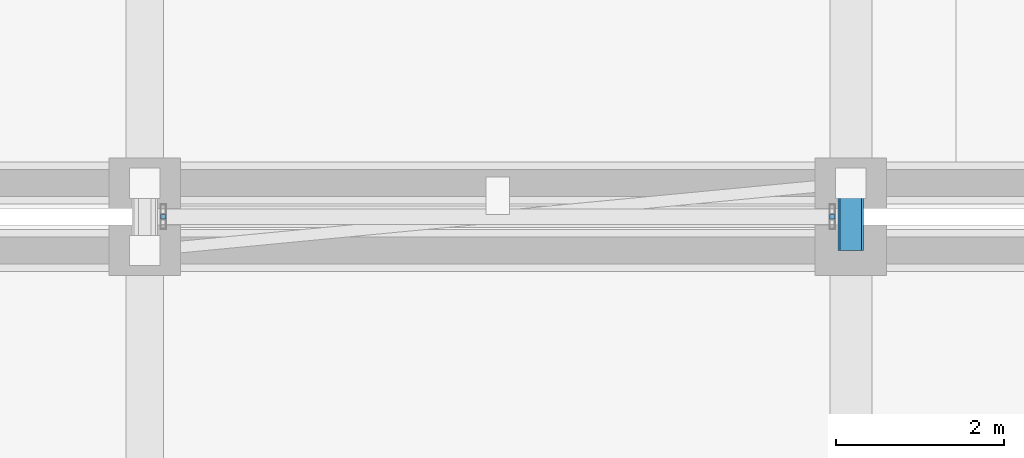
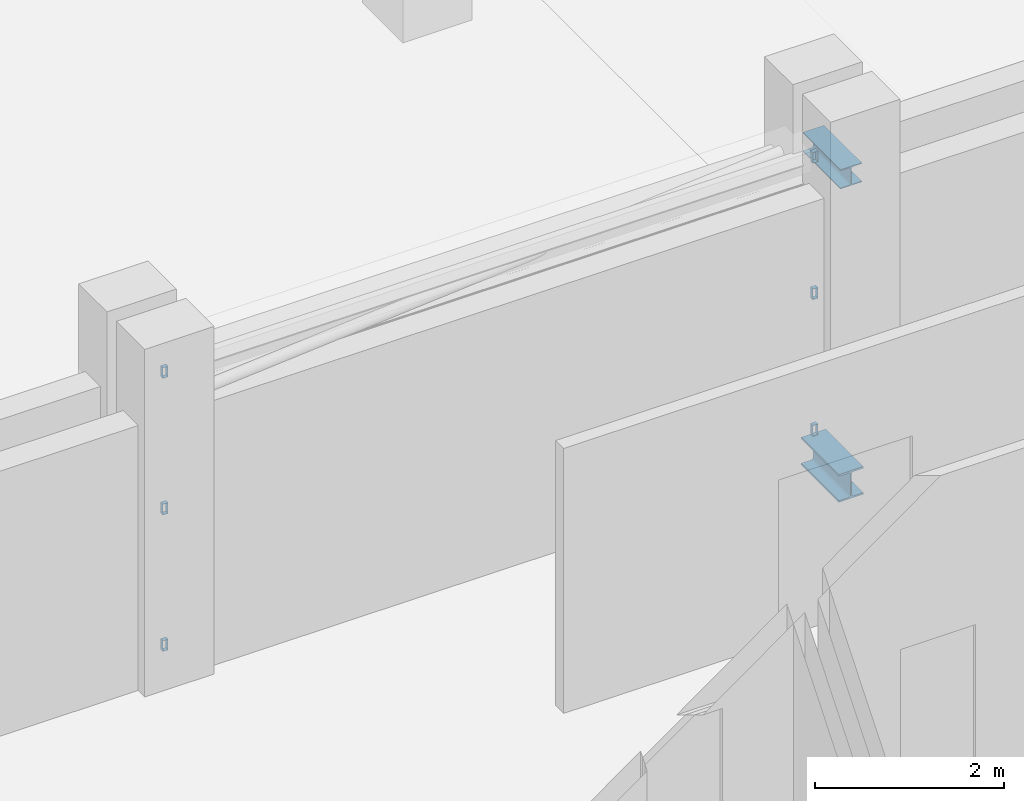
# One storey, part 76 of 137: 6 members, 2 beams, 2 elements without a shape of their own.
"""IFC4 building model written with IfcOpenShell, lengths in metres."""

from ifc_helpers import new_model, si_unit, direction, frame, origin, origin_2d, place, context, subcontext, project, spatial, hollow_rectangle, i_section, extrude, material, layer, layer_set, material_profile, profile_set, type_object, element, aggregate, save


model = new_model("IFC4")

# Units and contexts
model_context = context("Model", 3, precision=1e-05, world=origin(), true_north=direction((0.0, 1.0)))
body_context = subcontext(model_context, "Body", "Model", "MODEL_VIEW")
ifc_project = project(units=[si_unit("LENGTHUNIT", "METRE"), si_unit("AREAUNIT", "SQUARE_METRE"), si_unit("VOLUMEUNIT", "CUBIC_METRE"), si_unit("PLANEANGLEUNIT", "RADIAN"), si_unit("MASSUNIT", "GRAM", prefix="KILO")], contexts=[model_context])

# Site, building, storey
site_placement = place(None, origin())
site = spatial("IfcSite", under=ifc_project, at=site_placement, CompositionType="ELEMENT")
building_placement = place(site_placement, origin())
building = spatial("IfcBuilding", under=site, at=building_placement, Name="Xazarin Passage Department Store", CompositionType="ELEMENT")
storey_placement = place(building_placement, frame((0.0, 0.0, 5.39990234375)))
storey = spatial("IfcBuildingStorey", under=building, at=storey_placement, Name="L01", CompositionType="ELEMENT", Elevation=5.39990234375)

# Curtain wall, members
ifc_material_1 = material(Name="Bronze anodised aluminium", Category="aluminium")
ifc_layer = layer(ifc_material_1, 0.14990234375)
ifc_layer_set = layer_set([ifc_layer], Name="Bronze anodised aluminium")
curtain_wall_type = type_object("IfcCurtainWallType", Name="ARC-CW-BRG1", PredefinedType="NOTDEFINED", material=ifc_layer_set)
curtain_wall_1_placement = place(storey_placement, origin())
curtain_wall_1 = element("IfcCurtainWall", 1, at=curtain_wall_1_placement, inside=storey, type_object=curtain_wall_type, Name="L01 BR-V1-V3 Bridge Curtain Wall 1", PredefinedType="NOTDEFINED")
ifc_material_profile_1 = material_profile(ifc_material_1, hollow_rectangle(XDim=0.06494140625, YDim=0.139892578125, WallThickness=0.00390625, at=origin_2d()), Name="ALU 65x140")
ifc_profile_set_1 = profile_set([ifc_material_profile_1], Name="Bronze anodised aluminium")
member_type = type_object("IfcMemberType", Name="ARC-CWT-65x140", PredefinedType="USERDEFINED", material=ifc_profile_set_1)
member_1_placement = place(storey_placement, frame((25.419921875, 50.77490234375, 0.03271484375), z_axis=(0.0, 1.0, 0.0), x_axis=(-1.0, 0.0, 0.0)))
member_1 = element("IfcMember", 2, at=member_1_placement, type_object=member_type, Name="CW7 transom 1.1", ObjectType="TRANSOM", PredefinedType="USERDEFINED", context=body_context, shape_type="SweptSolid", body=[
    extrude(hollow_rectangle(XDim=0.06494140625, YDim=0.139892578125, WallThickness=0.00390625, at=origin_2d()), origin(), (0.0, 0.0, 1.0), 0.050048828125),
])
member_2_placement = place(storey_placement, frame((25.419921875, 50.77490234375, 1.800048828125), z_axis=(0.0, 1.0, 0.0), x_axis=(-1.0, 0.0, 0.0)))
member_2 = element("IfcMember", 3, at=member_2_placement, type_object=member_type, Name="CW7 transom 1.2", ObjectType="TRANSOM", PredefinedType="USERDEFINED", context=body_context, shape_type="SweptSolid", body=[
    extrude(hollow_rectangle(XDim=0.06494140625, YDim=0.139892578125, WallThickness=0.00390625, at=origin_2d()), origin(), (0.0, 0.0, 1.0), 0.050048828125),
])
member_3_placement = place(storey_placement, frame((25.419921875, 50.77490234375, 3.567626953125), z_axis=(0.0, 1.0, 0.0), x_axis=(-1.0, 0.0, 0.0)))
member_3 = element("IfcMember", 4, at=member_3_placement, type_object=member_type, Name="CW7 transom 1.3", ObjectType="TRANSOM", PredefinedType="USERDEFINED", context=body_context, shape_type="SweptSolid", body=[
    extrude(hollow_rectangle(XDim=0.06494140625, YDim=0.139892578125, WallThickness=0.00390625, at=origin_2d()), origin(), (0.0, 0.0, 1.0), 0.050048828125),
])
aggregate(curtain_wall_1, [member_1, member_2, member_3])

curtain_wall_2_placement = place(storey_placement, origin())
curtain_wall_2 = element("IfcCurtainWall", 5, at=curtain_wall_2_placement, inside=storey, type_object=curtain_wall_type, Name="L01 BR-V1-V3 Bridge Curtain Wall 2", PredefinedType="NOTDEFINED")
member_4_placement = place(storey_placement, frame((33.3798828125, 50.77490234375, 0.03271484375), z_axis=(0.0, 1.0, 0.0), x_axis=(-1.0, 0.0, 0.0)))
member_4 = element("IfcMember", 6, at=member_4_placement, type_object=member_type, Name="CW7 transom 1.1", ObjectType="TRANSOM", PredefinedType="USERDEFINED", context=body_context, shape_type="SweptSolid", body=[
    extrude(hollow_rectangle(XDim=0.06494140625, YDim=0.139892578125, WallThickness=0.00390625, at=origin_2d()), origin(), (0.0, 0.0, 1.0), 0.050048828125),
])
member_5_placement = place(storey_placement, frame((33.3798828125, 50.77490234375, 1.800048828125), z_axis=(0.0, 1.0, 0.0), x_axis=(-1.0, 0.0, 0.0)))
member_5 = element("IfcMember", 7, at=member_5_placement, type_object=member_type, Name="CW7 transom 1.2", ObjectType="TRANSOM", PredefinedType="USERDEFINED", context=body_context, shape_type="SweptSolid", body=[
    extrude(hollow_rectangle(XDim=0.06494140625, YDim=0.139892578125, WallThickness=0.00390625, at=origin_2d()), origin(), (0.0, 0.0, 1.0), 0.050048828125),
])
member_6_placement = place(storey_placement, frame((33.3798828125, 50.77490234375, 3.567626953125), z_axis=(0.0, 1.0, 0.0), x_axis=(-1.0, 0.0, 0.0)))
member_6 = element("IfcMember", 8, at=member_6_placement, type_object=member_type, Name="CW7 transom 1.3", ObjectType="TRANSOM", PredefinedType="USERDEFINED", context=body_context, shape_type="SweptSolid", body=[
    extrude(hollow_rectangle(XDim=0.06494140625, YDim=0.139892578125, WallThickness=0.00390625, at=origin_2d()), origin(), (0.0, 0.0, 1.0), 0.050048828125),
])
aggregate(curtain_wall_2, [member_4, member_5, member_6])

# Beams
ifc_material_2 = material(Name="Steel S355", Category="steel")
ifc_material_profile_2 = material_profile(ifc_material_2, i_section(OverallWidth=0.300048828125, OverallDepth=0.360107421875, WebThickness=0.012451171875, FlangeThickness=0.0224609375, FilletRadius=0.027099609375, at=origin_2d()), Name="HEB 360")
ifc_profile_set_2 = profile_set([ifc_material_profile_2], Name="Steel S355")
beam_type_1 = type_object("IfcBeamType", Name="STR-BM-BR360", PredefinedType="BEAM", material=ifc_profile_set_2)
beam_1_placement = place(storey_placement, frame((33.60009765625, 50.39990234375, -0.52001953125), z_axis=(0.0, 1.0, 0.0), x_axis=(-1.0, 0.0, 0.0)))
element("IfcBeam", 9, at=beam_1_placement, inside=storey, type_object=beam_type_1, Name="L01 BR-V1-V3 Bridge Girder B", PredefinedType="BEAM", context=body_context, shape_type="SweptSolid", body=[
    extrude(i_section(OverallWidth=0.300048828125, OverallDepth=0.360107421875, WebThickness=0.012451171875, FlangeThickness=0.0224609375, FilletRadius=0.027099609375, at=origin_2d()), origin(), (0.0, 0.0, 1.0), 0.800048828125),
])
ifc_material_profile_3 = material_profile(ifc_material_2, i_section(OverallWidth=0.260009765625, OverallDepth=0.25, WebThickness=0.007568359375, FlangeThickness=0.012451171875, FilletRadius=0.02392578125, at=origin_2d()), Name="HEA 260")
ifc_profile_set_3 = profile_set([ifc_material_profile_3], Name="Steel S355")
beam_type_2 = type_object("IfcBeamType", Name="STR-BM-CAN260", PredefinedType="BEAM", material=ifc_profile_set_3)
beam_2_placement = place(storey_placement, frame((33.60009765625, 50.39990234375, 3.47509765625), z_axis=(0.0, 1.0, 0.0), x_axis=(-1.0, 0.0, 0.0)))
element("IfcBeam", 10, at=beam_2_placement, inside=storey, type_object=beam_type_2, Name="L01 BR-V1-V3 Bridge Roof Beam B", PredefinedType="BEAM", context=body_context, shape_type="SweptSolid", body=[
    extrude(i_section(OverallWidth=0.260009765625, OverallDepth=0.25, WebThickness=0.007568359375, FlangeThickness=0.012451171875, FilletRadius=0.02392578125, at=origin_2d()), origin(), (0.0, 0.0, 1.0), 0.800048828125),
])

save(model, "model.ifc")
